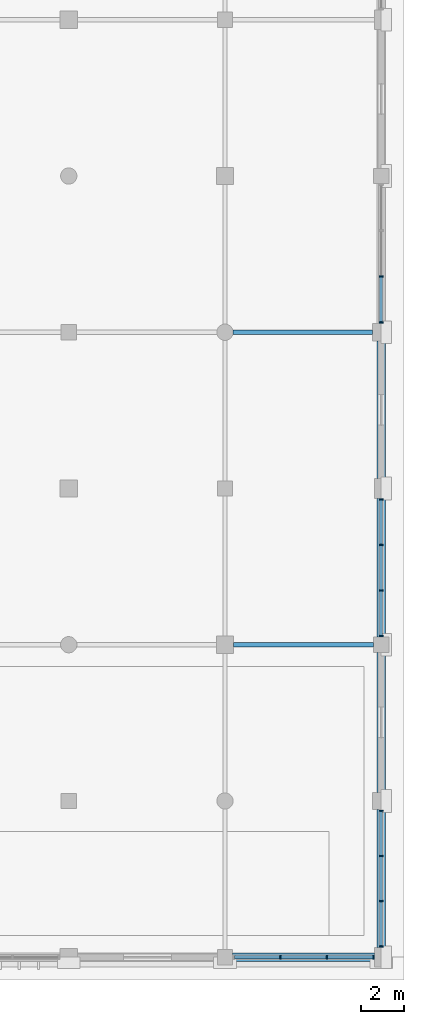
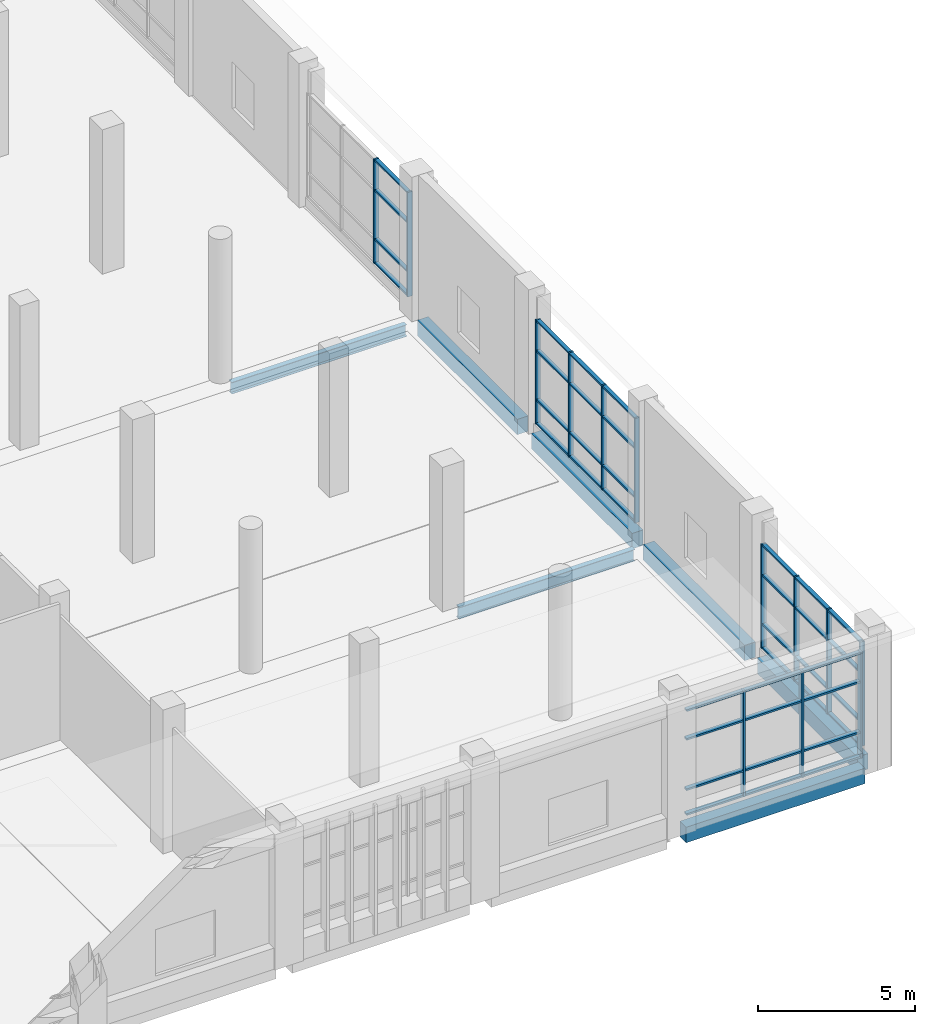
# One storey, part 30 of 80: 53 members, 7 beams, 4 elements without a shape of their own.
"""IFC4 building model written with IfcOpenShell, lengths in metres."""

from ifc_helpers import new_model, si_unit, direction, frame, origin, origin_2d, place, context, subcontext, project, spatial, rectangle, i_section, extrude, material, material_profile, profile_set, type_object, element, aggregate, save


model = new_model("IFC4")

# Units and contexts
model_context = context("Model", 3, precision=1e-05, world=origin(), true_north=direction((0.0, 1.0)))
body_context = subcontext(model_context, "Body", "Model", "MODEL_VIEW")
ifc_project = project(units=[si_unit("LENGTHUNIT", "METRE"), si_unit("AREAUNIT", "SQUARE_METRE"), si_unit("VOLUMEUNIT", "CUBIC_METRE"), si_unit("PLANEANGLEUNIT", "RADIAN"), si_unit("MASSUNIT", "GRAM", prefix="KILO")], contexts=[model_context])

# Site, building, storey
site_placement = place(None, origin())
site = spatial("IfcSite", under=ifc_project, at=site_placement, CompositionType="ELEMENT")
building_placement = place(site_placement, origin())
building = spatial("IfcBuilding", under=site, at=building_placement, Name="Sardonyx Promenade Sports Hall", CompositionType="ELEMENT")
storey_placement = place(building_placement, frame((0.0, 0.0, 5.60009765625)))
storey = spatial("IfcBuildingStorey", under=building, at=storey_placement, Name="L01", CompositionType="ELEMENT", Elevation=5.60009765625)

# Beams
ifc_material_1 = material(Name="Steel S355JR", Category="steel")
ifc_material_profile_1 = material_profile(ifc_material_1, i_section(OverallWidth=0.18994140625, OverallDepth=0.453369140625, WebThickness=0.008544921875, FlangeThickness=0.0126953125, at=origin_2d()))
ifc_profile_set_1 = profile_set([ifc_material_profile_1], Name="Steel S355JR")
beam_type_1 = type_object("IfcBeamType", Name="Bm_Girder_UB457", PredefinedType="BEAM", material=ifc_profile_set_1)
beam_1_placement = place(storey_placement, frame((158.800048828125, 14.39990234375, -0.516845703125), z_axis=(1.0, 0.0, 0.0), x_axis=(0.0, 1.0, 0.0)))
element("IfcBeam", 1, at=beam_1_placement, inside=storey, type_object=beam_type_1, Name="Beam SB01 L01 #207", PredefinedType="BEAM", context=body_context, shape_type="SweptSolid", body=[
    extrude(i_section(OverallWidth=0.18994140625, OverallDepth=0.453369140625, WebThickness=0.008544921875, FlangeThickness=0.0126953125, at=origin_2d()), origin(), (0.0, 0.0, 1.0), 6.449951171875),
])
beam_2_placement = place(storey_placement, frame((158.77490234375, 28.800048828125, -0.516845703125), z_axis=(1.0, 0.0, 0.0), x_axis=(0.0, 1.0, 0.0)))
element("IfcBeam", 2, at=beam_2_placement, inside=storey, type_object=beam_type_1, Name="Beam SB01 L01 #230", PredefinedType="BEAM", context=body_context, shape_type="SweptSolid", body=[
    extrude(i_section(OverallWidth=0.18994140625, OverallDepth=0.453369140625, WebThickness=0.008544921875, FlangeThickness=0.0126953125, at=origin_2d()), origin(), (0.0, 0.0, 1.0), 6.425048828125),
])
ifc_material_2 = material(Name="Concrete C40/50", Category="concrete")
ifc_material_profile_2 = material_profile(ifc_material_2, rectangle(XDim=0.39990234375, YDim=0.60009765625, at=origin_2d()))
ifc_profile_set_2 = profile_set([ifc_material_profile_2], Name="Concrete C40/50")
beam_type_2 = type_object("IfcBeamType", Name="Bm_Spandrel_RC600", PredefinedType="SPANDREL", material=ifc_profile_set_2)
beam_3_placement = place(storey_placement, frame((158.75, 0.0, -0.300048828125), z_axis=(1.0, 0.0, 0.0), x_axis=(0.0, 1.0, 0.0)))
element("IfcBeam", 3, at=beam_3_placement, inside=storey, type_object=beam_type_2, Name="Beam SPB1 L01 #184", PredefinedType="SPANDREL", context=body_context, shape_type="SweptSolid", body=[
    extrude(rectangle(XDim=0.39990234375, YDim=0.60009765625, at=origin_2d()), origin(), (0.0, 0.0, 1.0), 6.550048828125),
])
beam_4_placement = place(storey_placement, frame((165.60009765625, 0.449951171875, -0.300048828125), z_axis=(0.0, 1.0, 0.0), x_axis=(-1.0, 0.0, 0.0)))
element("IfcBeam", 4, at=beam_4_placement, inside=storey, type_object=beam_type_2, Name="Beam SPB1 L01 #435", PredefinedType="SPANDREL", context=body_context, shape_type="SweptSolid", body=[
    extrude(rectangle(XDim=0.39990234375, YDim=0.60009765625, at=origin_2d()), origin(), (0.0, 0.0, 1.0), 6.35009765625),
])
beam_5_placement = place(storey_placement, frame((165.60009765625, 7.60009765625, -0.300048828125), z_axis=(0.0, 1.0, 0.0), x_axis=(-1.0, 0.0, 0.0)))
element("IfcBeam", 5, at=beam_5_placement, inside=storey, type_object=beam_type_2, Name="Beam SPB1 L01 #436", PredefinedType="SPANDREL", context=body_context, shape_type="SweptSolid", body=[
    extrude(rectangle(XDim=0.39990234375, YDim=0.60009765625, at=origin_2d()), origin(), (0.0, 0.0, 1.0), 6.449951171875),
])
beam_6_placement = place(storey_placement, frame((165.60009765625, 14.75, -0.300048828125), z_axis=(0.0, 1.0, 0.0), x_axis=(-1.0, 0.0, 0.0)))
element("IfcBeam", 6, at=beam_6_placement, inside=storey, type_object=beam_type_2, Name="Beam SPB1 L01 #437", PredefinedType="SPANDREL", context=body_context, shape_type="SweptSolid", body=[
    extrude(rectangle(XDim=0.39990234375, YDim=0.60009765625, at=origin_2d()), origin(), (0.0, 0.0, 1.0), 6.39990234375),
])
beam_7_placement = place(storey_placement, frame((165.60009765625, 22.050048828125, -0.300048828125), z_axis=(0.0, 1.0, 0.0), x_axis=(-1.0, 0.0, 0.0)))
element("IfcBeam", 7, at=beam_7_placement, inside=storey, type_object=beam_type_2, Name="Beam SPB1 L01 #438", PredefinedType="SPANDREL", context=body_context, shape_type="SweptSolid", body=[
    extrude(rectangle(XDim=0.39990234375, YDim=0.60009765625, at=origin_2d()), origin(), (0.0, 0.0, 1.0), 6.349853515625),
])

# Curtain wall, members
ifc_material_3 = material(Name="Aluminium 6063-T6", Category="aluminium")
curtain_wall_type_1 = type_object("IfcCurtainWallType", Name="CW_EastWing_L01", PredefinedType="USERDEFINED", material=ifc_material_3)
curtain_wall_1_placement = place(storey_placement, origin())
curtain_wall_1 = element("IfcCurtainWall", 8, at=curtain_wall_1_placement, inside=storey, type_object=curtain_wall_type_1, Name="Curtain wall CW15 cw:L01:053", ObjectType="CURTAIN WALL", PredefinedType="USERDEFINED")
ifc_material_4 = material(Name="Aluminium 6063-T6", Category="aluminium")
ifc_material_profile_3 = material_profile(ifc_material_4, rectangle(XDim=0.06494140625, YDim=0.175048828125, at=origin_2d()))
ifc_profile_set_3 = profile_set([ifc_material_profile_3], Name="Aluminium 6063-T6")
member_type_1 = type_object("IfcMemberType", Name="CW_Mull_175", PredefinedType="MULLION", material=ifc_profile_set_3)
member_1_placement = place(storey_placement, frame((165.60009765625, 31.367431640625, 0.349853515625), z_axis=(0.0, 0.0, 1.0), x_axis=(0.0, -1.0, 0.0)))
member_1 = element("IfcMember", 9, at=member_1_placement, type_object=member_type_1, Name="Mullion CM02 cw:L01:053 #3", PredefinedType="MULLION", context=body_context, shape_type="SweptSolid", body=[
    extrude(rectangle(XDim=0.06494140625, YDim=0.175048828125, at=origin_2d()), origin(), (0.0, 0.0, 1.0), 4.050048828125),
])
member_2_placement = place(storey_placement, frame((165.60009765625, 29.25244140625, 0.349853515625), z_axis=(0.0, 0.0, 1.0), x_axis=(0.0, -1.0, 0.0)))
member_2 = element("IfcMember", 10, at=member_2_placement, type_object=member_type_1, Name="Mullion CM02 cw:L01:053 #4", PredefinedType="MULLION", context=body_context, shape_type="SweptSolid", body=[
    extrude(rectangle(XDim=0.06494140625, YDim=0.175048828125, at=origin_2d()), origin(), (0.0, 0.0, 1.0), 4.050048828125),
])

curtain_wall_2_placement = place(storey_placement, origin())
curtain_wall_2 = element("IfcCurtainWall", 11, at=curtain_wall_2_placement, inside=storey, type_object=curtain_wall_type_1, Name="Curtain wall CW15 cw:L01:054", ObjectType="CURTAIN WALL", PredefinedType="USERDEFINED")
member_3_placement = place(storey_placement, frame((165.60009765625, 21.097412109375, 0.349853515625), z_axis=(0.0, 0.0, 1.0), x_axis=(0.0, -1.0, 0.0)))
member_3 = element("IfcMember", 12, at=member_3_placement, type_object=member_type_1, Name="Mullion CM02 cw:L01:054 #1", PredefinedType="MULLION", context=body_context, shape_type="SweptSolid", body=[
    extrude(rectangle(XDim=0.06494140625, YDim=0.175048828125, at=origin_2d()), origin(), (0.0, 0.0, 1.0), 4.050048828125),
])
member_4_placement = place(storey_placement, frame((165.60009765625, 18.999267578125, 0.349853515625), z_axis=(0.0, 0.0, 1.0), x_axis=(0.0, -1.0, 0.0)))
member_4 = element("IfcMember", 13, at=member_4_placement, type_object=member_type_1, Name="Mullion CM02 cw:L01:054 #2", PredefinedType="MULLION", context=body_context, shape_type="SweptSolid", body=[
    extrude(rectangle(XDim=0.06494140625, YDim=0.175048828125, at=origin_2d()), origin(), (0.0, 0.0, 1.0), 4.050048828125),
])
member_5_placement = place(storey_placement, frame((165.60009765625, 16.90087890625, 0.349853515625), z_axis=(0.0, 0.0, 1.0), x_axis=(0.0, -1.0, 0.0)))
member_5 = element("IfcMember", 14, at=member_5_placement, type_object=member_type_1, Name="Mullion CM02 cw:L01:054 #3", PredefinedType="MULLION", context=body_context, shape_type="SweptSolid", body=[
    extrude(rectangle(XDim=0.06494140625, YDim=0.175048828125, at=origin_2d()), origin(), (0.0, 0.0, 1.0), 4.050048828125),
])
member_6_placement = place(storey_placement, frame((165.60009765625, 14.802490234375, 0.349853515625), z_axis=(0.0, 0.0, 1.0), x_axis=(0.0, -1.0, 0.0)))
member_6 = element("IfcMember", 15, at=member_6_placement, type_object=member_type_1, Name="Mullion CM02 cw:L01:054 #4", PredefinedType="MULLION", context=body_context, shape_type="SweptSolid", body=[
    extrude(rectangle(XDim=0.06494140625, YDim=0.175048828125, at=origin_2d()), origin(), (0.0, 0.0, 1.0), 4.050048828125),
])

curtain_wall_3_placement = place(storey_placement, origin())
curtain_wall_3 = element("IfcCurtainWall", 16, at=curtain_wall_3_placement, inside=storey, type_object=curtain_wall_type_1, Name="Curtain wall CW15 cw:L01:055", ObjectType="CURTAIN WALL", PredefinedType="USERDEFINED")
member_7_placement = place(storey_placement, frame((165.60009765625, 6.74755859375, 0.349853515625), z_axis=(0.0, 0.0, 1.0), x_axis=(0.0, -1.0, 0.0)))
member_7 = element("IfcMember", 17, at=member_7_placement, type_object=member_type_1, Name="Mullion CM02 cw:L01:055 #1", PredefinedType="MULLION", context=body_context, shape_type="SweptSolid", body=[
    extrude(rectangle(XDim=0.06494140625, YDim=0.175048828125, at=origin_2d()), origin(), (0.0, 0.0, 1.0), 4.050048828125),
])
member_8_placement = place(storey_placement, frame((165.60009765625, 4.665771484375, 0.349853515625), z_axis=(0.0, 0.0, 1.0), x_axis=(0.0, -1.0, 0.0)))
member_8 = element("IfcMember", 18, at=member_8_placement, type_object=member_type_1, Name="Mullion CM02 cw:L01:055 #2", PredefinedType="MULLION", context=body_context, shape_type="SweptSolid", body=[
    extrude(rectangle(XDim=0.06494140625, YDim=0.175048828125, at=origin_2d()), origin(), (0.0, 0.0, 1.0), 4.050048828125),
])
member_9_placement = place(storey_placement, frame((165.60009765625, 2.584228515625, 0.349853515625), z_axis=(0.0, 0.0, 1.0), x_axis=(0.0, -1.0, 0.0)))
member_9 = element("IfcMember", 19, at=member_9_placement, type_object=member_type_1, Name="Mullion CM02 cw:L01:055 #3", PredefinedType="MULLION", context=body_context, shape_type="SweptSolid", body=[
    extrude(rectangle(XDim=0.06494140625, YDim=0.175048828125, at=origin_2d()), origin(), (0.0, 0.0, 1.0), 4.050048828125),
])
member_10_placement = place(storey_placement, frame((165.60009765625, 0.50244140625, 0.349853515625), z_axis=(0.0, 0.0, 1.0), x_axis=(0.0, -1.0, 0.0)))
member_10 = element("IfcMember", 20, at=member_10_placement, type_object=member_type_1, Name="Mullion CM02 cw:L01:055 #4", PredefinedType="MULLION", context=body_context, shape_type="SweptSolid", body=[
    extrude(rectangle(XDim=0.06494140625, YDim=0.175048828125, at=origin_2d()), origin(), (0.0, 0.0, 1.0), 4.050048828125),
])

ifc_material_5 = material(Name="Aluminium 6063-T6", Category="aluminium")
curtain_wall_type_2 = type_object("IfcCurtainWallType", Name="CW_South_L01_640", PredefinedType="USERDEFINED", material=ifc_material_5)
curtain_wall_4_placement = place(storey_placement, origin())
curtain_wall_4 = element("IfcCurtainWall", 21, at=curtain_wall_4_placement, inside=storey, type_object=curtain_wall_type_2, Name="Curtain wall CW08 cw:L01:017", ObjectType="CURTAIN WALL", PredefinedType="USERDEFINED")
ifc_material_6 = material(Name="Aluminium 6063-T6", Category="aluminium")
ifc_material_profile_4 = material_profile(ifc_material_6, rectangle(XDim=0.070068359375, YDim=0.199951171875, at=origin_2d()))
ifc_profile_set_4 = profile_set([ifc_material_profile_4], Name="Aluminium 6063-T6")
member_type_2 = type_object("IfcMemberType", Name="CW_Mull_200", PredefinedType="MULLION", material=ifc_profile_set_4)
member_11_placement = place(storey_placement, frame((165.2451171875, 0.0, 0.349853515625), z_axis=(0.0, 0.0, 1.0), x_axis=(-1.0, 0.0, 0.0)))
member_11 = element("IfcMember", 22, at=member_11_placement, type_object=member_type_2, Name="Mullion CM03 cw:L01:017 #1", PredefinedType="MULLION", context=body_context, shape_type="SweptSolid", body=[
    extrude(rectangle(XDim=0.070068359375, YDim=0.199951171875, at=origin_2d()), origin(), (0.0, 0.0, 1.0), 4.10009765625),
])
member_12_placement = place(storey_placement, frame((163.098388671875, 0.0, 0.349853515625), z_axis=(0.0, 0.0, 1.0), x_axis=(-1.0, 0.0, 0.0)))
member_12 = element("IfcMember", 23, at=member_12_placement, type_object=member_type_2, Name="Mullion CM03 cw:L01:017 #2", PredefinedType="MULLION", context=body_context, shape_type="SweptSolid", body=[
    extrude(rectangle(XDim=0.070068359375, YDim=0.199951171875, at=origin_2d()), origin(), (0.0, 0.0, 1.0), 4.10009765625),
])
member_13_placement = place(storey_placement, frame((160.95166015625, 0.0, 0.349853515625), z_axis=(0.0, 0.0, 1.0), x_axis=(-1.0, 0.0, 0.0)))
member_13 = element("IfcMember", 24, at=member_13_placement, type_object=member_type_2, Name="Mullion CM03 cw:L01:017 #3", PredefinedType="MULLION", context=body_context, shape_type="SweptSolid", body=[
    extrude(rectangle(XDim=0.070068359375, YDim=0.199951171875, at=origin_2d()), origin(), (0.0, 0.0, 1.0), 4.10009765625),
])

# Member
ifc_material_7 = material(Name="Aluminium 6063-T6", Category="aluminium")
ifc_material_profile_5 = material_profile(ifc_material_7, rectangle(XDim=0.06494140625, YDim=0.139892578125, at=origin_2d()))
ifc_profile_set_5 = profile_set([ifc_material_profile_5], Name="Aluminium 6063-T6")
member_type_3 = type_object("IfcMemberType", Name="CW_Tran_140", PredefinedType="USERDEFINED", material=ifc_profile_set_5)
member_14_placement = place(storey_placement, frame((165.60009765625, 31.3349609375, 0.38232421875), z_axis=(0.0, -1.0, 0.0), x_axis=(0.0, 0.0, 1.0)))
member_14 = element("IfcMember", 25, at=member_14_placement, type_object=member_type_3, Name="Transom CT02 cw:L01:053 #9", ObjectType="TRANSOM", PredefinedType="USERDEFINED", context=body_context, shape_type="SweptSolid", body=[
    extrude(rectangle(XDim=0.06494140625, YDim=0.139892578125, at=origin_2d()), origin(), (0.0, 0.0, 1.0), 2.050048828125),
])

member_15_placement = place(storey_placement, frame((165.60009765625, 31.3349609375, 1.2998046875), z_axis=(0.0, -1.0, 0.0), x_axis=(0.0, 0.0, 1.0)))
member_15 = element("IfcMember", 26, at=member_15_placement, type_object=member_type_3, Name="Transom CT02 cw:L01:053 #10", ObjectType="TRANSOM", PredefinedType="USERDEFINED", context=body_context, shape_type="SweptSolid", body=[
    extrude(rectangle(XDim=0.06494140625, YDim=0.139892578125, at=origin_2d()), origin(), (0.0, 0.0, 1.0), 2.050048828125),
])

member_16_placement = place(storey_placement, frame((165.60009765625, 31.3349609375, 3.199951171875), z_axis=(0.0, -1.0, 0.0), x_axis=(0.0, 0.0, 1.0)))
member_16 = element("IfcMember", 27, at=member_16_placement, type_object=member_type_3, Name="Transom CT02 cw:L01:053 #11", ObjectType="TRANSOM", PredefinedType="USERDEFINED", context=body_context, shape_type="SweptSolid", body=[
    extrude(rectangle(XDim=0.06494140625, YDim=0.139892578125, at=origin_2d()), origin(), (0.0, 0.0, 1.0), 2.050048828125),
])

member_17_placement = place(storey_placement, frame((165.60009765625, 31.3349609375, 4.367431640625), z_axis=(0.0, -1.0, 0.0), x_axis=(0.0, 0.0, 1.0)))
member_17 = element("IfcMember", 28, at=member_17_placement, type_object=member_type_3, Name="Transom CT02 cw:L01:053 #12", ObjectType="TRANSOM", PredefinedType="USERDEFINED", context=body_context, shape_type="SweptSolid", body=[
    extrude(rectangle(XDim=0.06494140625, YDim=0.139892578125, at=origin_2d()), origin(), (0.0, 0.0, 1.0), 2.050048828125),
])

aggregate(curtain_wall_1, [member_1, member_2, member_14, member_15, member_16, member_17])

member_18_placement = place(storey_placement, frame((165.60009765625, 21.06494140625, 0.38232421875), z_axis=(0.0, -1.0, 0.0), x_axis=(0.0, 0.0, 1.0)))
member_18 = element("IfcMember", 29, at=member_18_placement, type_object=member_type_3, Name="Transom CT02 cw:L01:054 #1", ObjectType="TRANSOM", PredefinedType="USERDEFINED", context=body_context, shape_type="SweptSolid", body=[
    extrude(rectangle(XDim=0.06494140625, YDim=0.139892578125, at=origin_2d()), origin(), (0.0, 0.0, 1.0), 2.033203125),
])

member_19_placement = place(storey_placement, frame((165.60009765625, 21.06494140625, 1.2998046875), z_axis=(0.0, -1.0, 0.0), x_axis=(0.0, 0.0, 1.0)))
member_19 = element("IfcMember", 30, at=member_19_placement, type_object=member_type_3, Name="Transom CT02 cw:L01:054 #2", ObjectType="TRANSOM", PredefinedType="USERDEFINED", context=body_context, shape_type="SweptSolid", body=[
    extrude(rectangle(XDim=0.06494140625, YDim=0.139892578125, at=origin_2d()), origin(), (0.0, 0.0, 1.0), 2.033203125),
])

member_20_placement = place(storey_placement, frame((165.60009765625, 21.06494140625, 3.199951171875), z_axis=(0.0, -1.0, 0.0), x_axis=(0.0, 0.0, 1.0)))
member_20 = element("IfcMember", 31, at=member_20_placement, type_object=member_type_3, Name="Transom CT02 cw:L01:054 #3", ObjectType="TRANSOM", PredefinedType="USERDEFINED", context=body_context, shape_type="SweptSolid", body=[
    extrude(rectangle(XDim=0.06494140625, YDim=0.139892578125, at=origin_2d()), origin(), (0.0, 0.0, 1.0), 2.033203125),
])

member_21_placement = place(storey_placement, frame((165.60009765625, 21.06494140625, 4.367431640625), z_axis=(0.0, -1.0, 0.0), x_axis=(0.0, 0.0, 1.0)))
member_21 = element("IfcMember", 32, at=member_21_placement, type_object=member_type_3, Name="Transom CT02 cw:L01:054 #4", ObjectType="TRANSOM", PredefinedType="USERDEFINED", context=body_context, shape_type="SweptSolid", body=[
    extrude(rectangle(XDim=0.06494140625, YDim=0.139892578125, at=origin_2d()), origin(), (0.0, 0.0, 1.0), 2.033203125),
])

member_22_placement = place(storey_placement, frame((165.60009765625, 18.966552734375, 0.38232421875), z_axis=(0.0, -1.0, 0.0), x_axis=(0.0, 0.0, 1.0)))
member_22 = element("IfcMember", 33, at=member_22_placement, type_object=member_type_3, Name="Transom CT02 cw:L01:054 #5", ObjectType="TRANSOM", PredefinedType="USERDEFINED", context=body_context, shape_type="SweptSolid", body=[
    extrude(rectangle(XDim=0.06494140625, YDim=0.139892578125, at=origin_2d()), origin(), (0.0, 0.0, 1.0), 2.033203125),
])

member_23_placement = place(storey_placement, frame((165.60009765625, 18.966552734375, 1.2998046875), z_axis=(0.0, -1.0, 0.0), x_axis=(0.0, 0.0, 1.0)))
member_23 = element("IfcMember", 34, at=member_23_placement, type_object=member_type_3, Name="Transom CT02 cw:L01:054 #6", ObjectType="TRANSOM", PredefinedType="USERDEFINED", context=body_context, shape_type="SweptSolid", body=[
    extrude(rectangle(XDim=0.06494140625, YDim=0.139892578125, at=origin_2d()), origin(), (0.0, 0.0, 1.0), 2.033203125),
])

member_24_placement = place(storey_placement, frame((165.60009765625, 18.966552734375, 3.199951171875), z_axis=(0.0, -1.0, 0.0), x_axis=(0.0, 0.0, 1.0)))
member_24 = element("IfcMember", 35, at=member_24_placement, type_object=member_type_3, Name="Transom CT02 cw:L01:054 #7", ObjectType="TRANSOM", PredefinedType="USERDEFINED", context=body_context, shape_type="SweptSolid", body=[
    extrude(rectangle(XDim=0.06494140625, YDim=0.139892578125, at=origin_2d()), origin(), (0.0, 0.0, 1.0), 2.033203125),
])

member_25_placement = place(storey_placement, frame((165.60009765625, 18.966552734375, 4.367431640625), z_axis=(0.0, -1.0, 0.0), x_axis=(0.0, 0.0, 1.0)))
member_25 = element("IfcMember", 36, at=member_25_placement, type_object=member_type_3, Name="Transom CT02 cw:L01:054 #8", ObjectType="TRANSOM", PredefinedType="USERDEFINED", context=body_context, shape_type="SweptSolid", body=[
    extrude(rectangle(XDim=0.06494140625, YDim=0.139892578125, at=origin_2d()), origin(), (0.0, 0.0, 1.0), 2.033203125),
])

member_26_placement = place(storey_placement, frame((165.60009765625, 16.868408203125, 0.38232421875), z_axis=(0.0, -1.0, 0.0), x_axis=(0.0, 0.0, 1.0)))
member_26 = element("IfcMember", 37, at=member_26_placement, type_object=member_type_3, Name="Transom CT02 cw:L01:054 #9", ObjectType="TRANSOM", PredefinedType="USERDEFINED", context=body_context, shape_type="SweptSolid", body=[
    extrude(rectangle(XDim=0.06494140625, YDim=0.139892578125, at=origin_2d()), origin(), (0.0, 0.0, 1.0), 2.033447265625),
])

member_27_placement = place(storey_placement, frame((165.60009765625, 16.868408203125, 1.2998046875), z_axis=(0.0, -1.0, 0.0), x_axis=(0.0, 0.0, 1.0)))
member_27 = element("IfcMember", 38, at=member_27_placement, type_object=member_type_3, Name="Transom CT02 cw:L01:054 #10", ObjectType="TRANSOM", PredefinedType="USERDEFINED", context=body_context, shape_type="SweptSolid", body=[
    extrude(rectangle(XDim=0.06494140625, YDim=0.139892578125, at=origin_2d()), origin(), (0.0, 0.0, 1.0), 2.033447265625),
])

member_28_placement = place(storey_placement, frame((165.60009765625, 16.868408203125, 3.199951171875), z_axis=(0.0, -1.0, 0.0), x_axis=(0.0, 0.0, 1.0)))
member_28 = element("IfcMember", 39, at=member_28_placement, type_object=member_type_3, Name="Transom CT02 cw:L01:054 #11", ObjectType="TRANSOM", PredefinedType="USERDEFINED", context=body_context, shape_type="SweptSolid", body=[
    extrude(rectangle(XDim=0.06494140625, YDim=0.139892578125, at=origin_2d()), origin(), (0.0, 0.0, 1.0), 2.033447265625),
])

member_29_placement = place(storey_placement, frame((165.60009765625, 16.868408203125, 4.367431640625), z_axis=(0.0, -1.0, 0.0), x_axis=(0.0, 0.0, 1.0)))
member_29 = element("IfcMember", 40, at=member_29_placement, type_object=member_type_3, Name="Transom CT02 cw:L01:054 #12", ObjectType="TRANSOM", PredefinedType="USERDEFINED", context=body_context, shape_type="SweptSolid", body=[
    extrude(rectangle(XDim=0.06494140625, YDim=0.139892578125, at=origin_2d()), origin(), (0.0, 0.0, 1.0), 2.033447265625),
])

aggregate(curtain_wall_2, [member_3, member_4, member_5, member_6, member_18, member_19, member_20, member_21, member_22, member_23, member_24, member_25, member_26, member_27, member_28, member_29])

member_30_placement = place(storey_placement, frame((165.60009765625, 6.715087890625, 0.38232421875), z_axis=(0.0, -1.0, 0.0), x_axis=(0.0, 0.0, 1.0)))
member_30 = element("IfcMember", 41, at=member_30_placement, type_object=member_type_3, Name="Transom CT02 cw:L01:055 #1", ObjectType="TRANSOM", PredefinedType="USERDEFINED", context=body_context, shape_type="SweptSolid", body=[
    extrude(rectangle(XDim=0.06494140625, YDim=0.139892578125, at=origin_2d()), origin(), (0.0, 0.0, 1.0), 2.016845703125),
])

member_31_placement = place(storey_placement, frame((165.60009765625, 6.715087890625, 1.2998046875), z_axis=(0.0, -1.0, 0.0), x_axis=(0.0, 0.0, 1.0)))
member_31 = element("IfcMember", 42, at=member_31_placement, type_object=member_type_3, Name="Transom CT02 cw:L01:055 #2", ObjectType="TRANSOM", PredefinedType="USERDEFINED", context=body_context, shape_type="SweptSolid", body=[
    extrude(rectangle(XDim=0.06494140625, YDim=0.139892578125, at=origin_2d()), origin(), (0.0, 0.0, 1.0), 2.016845703125),
])

member_32_placement = place(storey_placement, frame((165.60009765625, 6.715087890625, 3.199951171875), z_axis=(0.0, -1.0, 0.0), x_axis=(0.0, 0.0, 1.0)))
member_32 = element("IfcMember", 43, at=member_32_placement, type_object=member_type_3, Name="Transom CT02 cw:L01:055 #3", ObjectType="TRANSOM", PredefinedType="USERDEFINED", context=body_context, shape_type="SweptSolid", body=[
    extrude(rectangle(XDim=0.06494140625, YDim=0.139892578125, at=origin_2d()), origin(), (0.0, 0.0, 1.0), 2.016845703125),
])

member_33_placement = place(storey_placement, frame((165.60009765625, 6.715087890625, 4.367431640625), z_axis=(0.0, -1.0, 0.0), x_axis=(0.0, 0.0, 1.0)))
member_33 = element("IfcMember", 44, at=member_33_placement, type_object=member_type_3, Name="Transom CT02 cw:L01:055 #4", ObjectType="TRANSOM", PredefinedType="USERDEFINED", context=body_context, shape_type="SweptSolid", body=[
    extrude(rectangle(XDim=0.06494140625, YDim=0.139892578125, at=origin_2d()), origin(), (0.0, 0.0, 1.0), 2.016845703125),
])

member_34_placement = place(storey_placement, frame((165.60009765625, 4.63330078125, 0.38232421875), z_axis=(0.0, -1.0, 0.0), x_axis=(0.0, 0.0, 1.0)))
member_34 = element("IfcMember", 45, at=member_34_placement, type_object=member_type_3, Name="Transom CT02 cw:L01:055 #5", ObjectType="TRANSOM", PredefinedType="USERDEFINED", context=body_context, shape_type="SweptSolid", body=[
    extrude(rectangle(XDim=0.06494140625, YDim=0.139892578125, at=origin_2d()), origin(), (0.0, 0.0, 1.0), 2.0166015625),
])

member_35_placement = place(storey_placement, frame((165.60009765625, 4.63330078125, 1.2998046875), z_axis=(0.0, -1.0, 0.0), x_axis=(0.0, 0.0, 1.0)))
member_35 = element("IfcMember", 46, at=member_35_placement, type_object=member_type_3, Name="Transom CT02 cw:L01:055 #6", ObjectType="TRANSOM", PredefinedType="USERDEFINED", context=body_context, shape_type="SweptSolid", body=[
    extrude(rectangle(XDim=0.06494140625, YDim=0.139892578125, at=origin_2d()), origin(), (0.0, 0.0, 1.0), 2.0166015625),
])

member_36_placement = place(storey_placement, frame((165.60009765625, 4.63330078125, 3.199951171875), z_axis=(0.0, -1.0, 0.0), x_axis=(0.0, 0.0, 1.0)))
member_36 = element("IfcMember", 47, at=member_36_placement, type_object=member_type_3, Name="Transom CT02 cw:L01:055 #7", ObjectType="TRANSOM", PredefinedType="USERDEFINED", context=body_context, shape_type="SweptSolid", body=[
    extrude(rectangle(XDim=0.06494140625, YDim=0.139892578125, at=origin_2d()), origin(), (0.0, 0.0, 1.0), 2.0166015625),
])

member_37_placement = place(storey_placement, frame((165.60009765625, 4.63330078125, 4.367431640625), z_axis=(0.0, -1.0, 0.0), x_axis=(0.0, 0.0, 1.0)))
member_37 = element("IfcMember", 48, at=member_37_placement, type_object=member_type_3, Name="Transom CT02 cw:L01:055 #8", ObjectType="TRANSOM", PredefinedType="USERDEFINED", context=body_context, shape_type="SweptSolid", body=[
    extrude(rectangle(XDim=0.06494140625, YDim=0.139892578125, at=origin_2d()), origin(), (0.0, 0.0, 1.0), 2.0166015625),
])

member_38_placement = place(storey_placement, frame((165.60009765625, 2.5517578125, 0.38232421875), z_axis=(0.0, -1.0, 0.0), x_axis=(0.0, 0.0, 1.0)))
member_38 = element("IfcMember", 49, at=member_38_placement, type_object=member_type_3, Name="Transom CT02 cw:L01:055 #9", ObjectType="TRANSOM", PredefinedType="USERDEFINED", context=body_context, shape_type="SweptSolid", body=[
    extrude(rectangle(XDim=0.06494140625, YDim=0.139892578125, at=origin_2d()), origin(), (0.0, 0.0, 1.0), 2.016845703125),
])

member_39_placement = place(storey_placement, frame((165.60009765625, 2.5517578125, 1.2998046875), z_axis=(0.0, -1.0, 0.0), x_axis=(0.0, 0.0, 1.0)))
member_39 = element("IfcMember", 50, at=member_39_placement, type_object=member_type_3, Name="Transom CT02 cw:L01:055 #10", ObjectType="TRANSOM", PredefinedType="USERDEFINED", context=body_context, shape_type="SweptSolid", body=[
    extrude(rectangle(XDim=0.06494140625, YDim=0.139892578125, at=origin_2d()), origin(), (0.0, 0.0, 1.0), 2.016845703125),
])

member_40_placement = place(storey_placement, frame((165.60009765625, 2.5517578125, 3.199951171875), z_axis=(0.0, -1.0, 0.0), x_axis=(0.0, 0.0, 1.0)))
member_40 = element("IfcMember", 51, at=member_40_placement, type_object=member_type_3, Name="Transom CT02 cw:L01:055 #11", ObjectType="TRANSOM", PredefinedType="USERDEFINED", context=body_context, shape_type="SweptSolid", body=[
    extrude(rectangle(XDim=0.06494140625, YDim=0.139892578125, at=origin_2d()), origin(), (0.0, 0.0, 1.0), 2.016845703125),
])

member_41_placement = place(storey_placement, frame((165.60009765625, 2.5517578125, 4.367431640625), z_axis=(0.0, -1.0, 0.0), x_axis=(0.0, 0.0, 1.0)))
member_41 = element("IfcMember", 52, at=member_41_placement, type_object=member_type_3, Name="Transom CT02 cw:L01:055 #12", ObjectType="TRANSOM", PredefinedType="USERDEFINED", context=body_context, shape_type="SweptSolid", body=[
    extrude(rectangle(XDim=0.06494140625, YDim=0.139892578125, at=origin_2d()), origin(), (0.0, 0.0, 1.0), 2.016845703125),
])

aggregate(curtain_wall_3, [member_7, member_8, member_9, member_10, member_30, member_31, member_32, member_33, member_34, member_35, member_36, member_37, member_38, member_39, member_40, member_41])

ifc_material_8 = material(Name="Aluminium 6063-T6", Category="aluminium")
ifc_material_profile_6 = material_profile(ifc_material_8, rectangle(XDim=0.070068359375, YDim=0.159912109375, at=origin_2d()))
ifc_profile_set_6 = profile_set([ifc_material_profile_6], Name="Aluminium 6063-T6")
member_type_4 = type_object("IfcMemberType", Name="CW_Tran_160", PredefinedType="USERDEFINED", material=ifc_profile_set_6)
member_42_placement = place(storey_placement, frame((165.2099609375, 0.0, 0.385009765625), z_axis=(-1.0, 0.0, 0.0), x_axis=(0.0, 0.0, 1.0)))
member_42 = element("IfcMember", 53, at=member_42_placement, type_object=member_type_4, Name="Transom CT03 cw:L01:017 #1", ObjectType="TRANSOM", PredefinedType="USERDEFINED", context=body_context, shape_type="SweptSolid", body=[
    extrude(rectangle(XDim=0.070068359375, YDim=0.159912109375, at=origin_2d()), origin(), (0.0, 0.0, 1.0), 2.07666015625),
])

member_43_placement = place(storey_placement, frame((165.2099609375, 0.0, 1.349853515625), z_axis=(-1.0, 0.0, 0.0), x_axis=(0.0, 0.0, 1.0)))
member_43 = element("IfcMember", 54, at=member_43_placement, type_object=member_type_4, Name="Transom CT03 cw:L01:017 #2", ObjectType="TRANSOM", PredefinedType="USERDEFINED", context=body_context, shape_type="SweptSolid", body=[
    extrude(rectangle(XDim=0.070068359375, YDim=0.159912109375, at=origin_2d()), origin(), (0.0, 0.0, 1.0), 2.07666015625),
])

member_44_placement = place(storey_placement, frame((165.2099609375, 0.0, 3.2998046875), z_axis=(-1.0, 0.0, 0.0), x_axis=(0.0, 0.0, 1.0)))
member_44 = element("IfcMember", 55, at=member_44_placement, type_object=member_type_4, Name="Transom CT03 cw:L01:017 #3", ObjectType="TRANSOM", PredefinedType="USERDEFINED", context=body_context, shape_type="SweptSolid", body=[
    extrude(rectangle(XDim=0.070068359375, YDim=0.159912109375, at=origin_2d()), origin(), (0.0, 0.0, 1.0), 2.07666015625),
])

member_45_placement = place(storey_placement, frame((165.2099609375, 0.0, 4.414794921875), z_axis=(-1.0, 0.0, 0.0), x_axis=(0.0, 0.0, 1.0)))
member_45 = element("IfcMember", 56, at=member_45_placement, type_object=member_type_4, Name="Transom CT03 cw:L01:017 #4", ObjectType="TRANSOM", PredefinedType="USERDEFINED", context=body_context, shape_type="SweptSolid", body=[
    extrude(rectangle(XDim=0.070068359375, YDim=0.159912109375, at=origin_2d()), origin(), (0.0, 0.0, 1.0), 2.07666015625),
])

member_46_placement = place(storey_placement, frame((163.063232421875, 0.0, 0.385009765625), z_axis=(-1.0, 0.0, 0.0), x_axis=(0.0, 0.0, 1.0)))
member_46 = element("IfcMember", 57, at=member_46_placement, type_object=member_type_4, Name="Transom CT03 cw:L01:017 #5", ObjectType="TRANSOM", PredefinedType="USERDEFINED", context=body_context, shape_type="SweptSolid", body=[
    extrude(rectangle(XDim=0.070068359375, YDim=0.159912109375, at=origin_2d()), origin(), (0.0, 0.0, 1.0), 2.07666015625),
])

member_47_placement = place(storey_placement, frame((163.063232421875, 0.0, 1.349853515625), z_axis=(-1.0, 0.0, 0.0), x_axis=(0.0, 0.0, 1.0)))
member_47 = element("IfcMember", 58, at=member_47_placement, type_object=member_type_4, Name="Transom CT03 cw:L01:017 #6", ObjectType="TRANSOM", PredefinedType="USERDEFINED", context=body_context, shape_type="SweptSolid", body=[
    extrude(rectangle(XDim=0.070068359375, YDim=0.159912109375, at=origin_2d()), origin(), (0.0, 0.0, 1.0), 2.07666015625),
])

member_48_placement = place(storey_placement, frame((163.063232421875, 0.0, 3.2998046875), z_axis=(-1.0, 0.0, 0.0), x_axis=(0.0, 0.0, 1.0)))
member_48 = element("IfcMember", 59, at=member_48_placement, type_object=member_type_4, Name="Transom CT03 cw:L01:017 #7", ObjectType="TRANSOM", PredefinedType="USERDEFINED", context=body_context, shape_type="SweptSolid", body=[
    extrude(rectangle(XDim=0.070068359375, YDim=0.159912109375, at=origin_2d()), origin(), (0.0, 0.0, 1.0), 2.07666015625),
])

member_49_placement = place(storey_placement, frame((163.063232421875, 0.0, 4.414794921875), z_axis=(-1.0, 0.0, 0.0), x_axis=(0.0, 0.0, 1.0)))
member_49 = element("IfcMember", 60, at=member_49_placement, type_object=member_type_4, Name="Transom CT03 cw:L01:017 #8", ObjectType="TRANSOM", PredefinedType="USERDEFINED", context=body_context, shape_type="SweptSolid", body=[
    extrude(rectangle(XDim=0.070068359375, YDim=0.159912109375, at=origin_2d()), origin(), (0.0, 0.0, 1.0), 2.07666015625),
])

member_50_placement = place(storey_placement, frame((160.916748046875, 0.0, 0.385009765625), z_axis=(-1.0, 0.0, 0.0), x_axis=(0.0, 0.0, 1.0)))
member_50 = element("IfcMember", 61, at=member_50_placement, type_object=member_type_4, Name="Transom CT03 cw:L01:017 #9", ObjectType="TRANSOM", PredefinedType="USERDEFINED", context=body_context, shape_type="SweptSolid", body=[
    extrude(rectangle(XDim=0.070068359375, YDim=0.159912109375, at=origin_2d()), origin(), (0.0, 0.0, 1.0), 2.07666015625),
])

member_51_placement = place(storey_placement, frame((160.916748046875, 0.0, 1.349853515625), z_axis=(-1.0, 0.0, 0.0), x_axis=(0.0, 0.0, 1.0)))
member_51 = element("IfcMember", 62, at=member_51_placement, type_object=member_type_4, Name="Transom CT03 cw:L01:017 #10", ObjectType="TRANSOM", PredefinedType="USERDEFINED", context=body_context, shape_type="SweptSolid", body=[
    extrude(rectangle(XDim=0.070068359375, YDim=0.159912109375, at=origin_2d()), origin(), (0.0, 0.0, 1.0), 2.07666015625),
])

member_52_placement = place(storey_placement, frame((160.916748046875, 0.0, 3.2998046875), z_axis=(-1.0, 0.0, 0.0), x_axis=(0.0, 0.0, 1.0)))
member_52 = element("IfcMember", 63, at=member_52_placement, type_object=member_type_4, Name="Transom CT03 cw:L01:017 #11", ObjectType="TRANSOM", PredefinedType="USERDEFINED", context=body_context, shape_type="SweptSolid", body=[
    extrude(rectangle(XDim=0.070068359375, YDim=0.159912109375, at=origin_2d()), origin(), (0.0, 0.0, 1.0), 2.07666015625),
])

member_53_placement = place(storey_placement, frame((160.916748046875, 0.0, 4.414794921875), z_axis=(-1.0, 0.0, 0.0), x_axis=(0.0, 0.0, 1.0)))
member_53 = element("IfcMember", 64, at=member_53_placement, type_object=member_type_4, Name="Transom CT03 cw:L01:017 #12", ObjectType="TRANSOM", PredefinedType="USERDEFINED", context=body_context, shape_type="SweptSolid", body=[
    extrude(rectangle(XDim=0.070068359375, YDim=0.159912109375, at=origin_2d()), origin(), (0.0, 0.0, 1.0), 2.07666015625),
])

aggregate(curtain_wall_4, [member_11, member_12, member_13, member_42, member_43, member_44, member_45, member_46, member_47, member_48, member_49, member_50, member_51, member_52, member_53])

save(model, "model.ifc")
